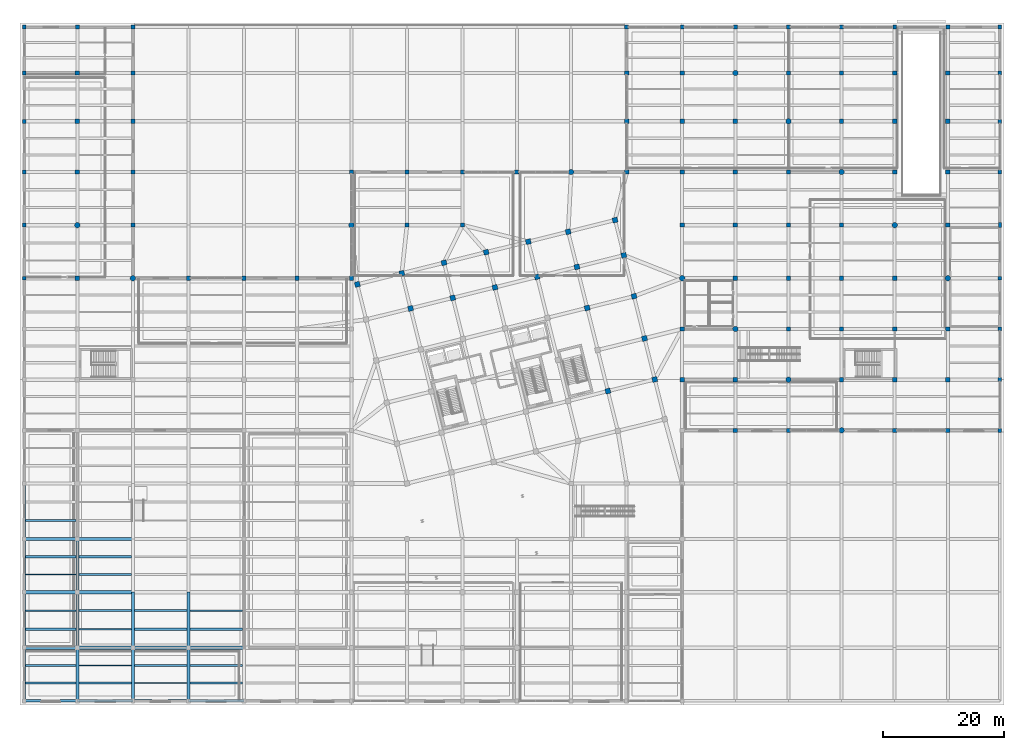
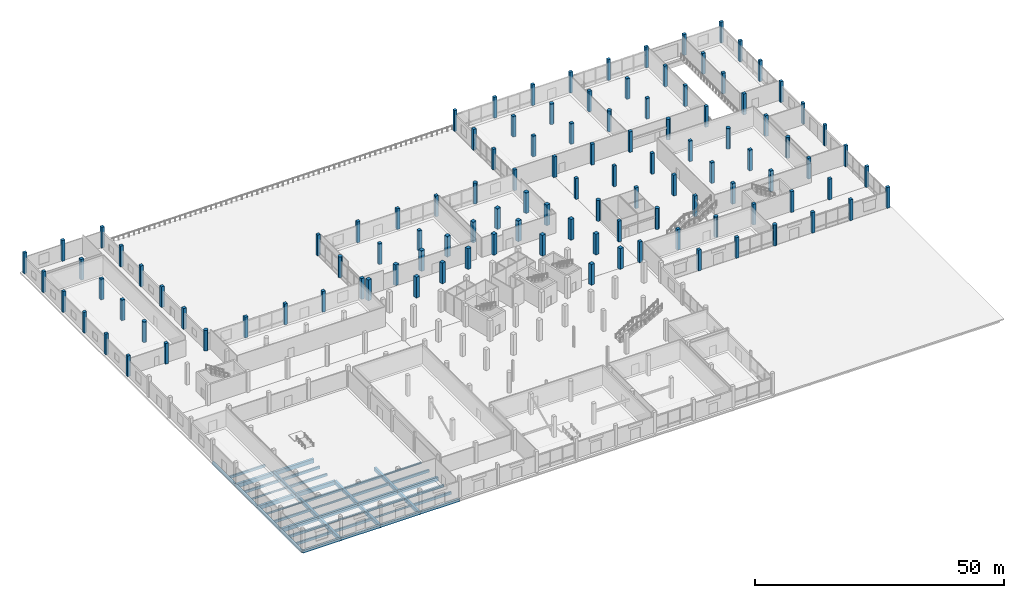
# One storey, part 6 of 73: 114 columns, 44 beams.
"""IFC4 building model written with IfcOpenShell, lengths in metres."""

import ifcopenshell
import ifcopenshell.guid

model = None  # the IFC model being written
_history = None  # IfcOwnerHistory: only IFC2X3 demands one
_inside = {}  # id of a spatial element -> (the spatial element, [elements in it])
_under = {}  # id of a project, library or spatial element -> (it, [spatial elements below it])
_declared = {}  # id of a project -> (the project, [libraries it declares])
_typed = {}  # id of a type object -> (the type object, [elements of that type])
_made_of = {}  # id of a material, layer set ... -> (it, [elements and type objects made of it])


def new_model(schema):
    """Start an empty IFC model of exactly this schema.

    Asked for "IFC4X3", IfcOpenShell would pick the latest addendum, in which some entities
    have other attributes; the version numbers below select the first issue.
    IFC2X3 requires an IfcOwnerHistory on every rooted entity: one is made here for all.
    """
    global model, _history
    if schema == "IFC4X3":
        model = ifcopenshell.file(schema_version=(4, 3, 0, 0))
    else:
        model = ifcopenshell.file(schema=schema)
    _inside.clear()
    _under.clear()
    _declared.clear()
    _typed.clear()
    _made_of.clear()
    _history = None
    if model.schema == "IFC2X3":
        org = make("IfcOrganization", Name="unknown")
        user = make(
            "IfcPersonAndOrganization",
            ThePerson=make("IfcPerson", FamilyName="unknown"),
            TheOrganization=org,
        )
        app = make(
            "IfcApplication",
            ApplicationDeveloper=org,
            Version="unknown",
            ApplicationFullName="unknown",
            ApplicationIdentifier="unknown",
        )
        _history = make(
            "IfcOwnerHistory",
            OwningUser=user,
            OwningApplication=app,
            ChangeAction="ADDED",
            CreationDate=0,
        )
    return model


def make(cls, **values):
    """One entity of the class cls with the attributes given. An attribute that is None is left unset."""
    return model.create_entity(
        cls, **{name: value for name, value in values.items() if value is not None}
    )


def rooted(cls, **values):
    """An entity with a GlobalId (a new one), such as an element, a storey or a relation."""
    return make(cls, GlobalId=ifcopenshell.guid.new(), OwnerHistory=_history, **values)


def si_unit(unit_type, name, prefix=None):
    """IfcSIUnit, for example si_unit("LENGTHUNIT", "METRE", prefix="MILLI")."""
    return make("IfcSIUnit", UnitType=unit_type, Prefix=prefix, Name=name)


def assignment(units):
    """IfcUnitAssignment: the units of a project."""
    return None if units is None else make("IfcUnitAssignment", Units=units)


def point(xyz):
    """IfcCartesianPoint."""
    return None if xyz is None else make("IfcCartesianPoint", Coordinates=xyz)


def direction(xyz):
    """IfcDirection."""
    return None if xyz is None else make("IfcDirection", DirectionRatios=xyz)


def frame(location, z_axis=None, x_axis=None):
    """IfcAxis2Placement3D, a coordinate frame: its origin and axes. An axis left out is left unset."""
    return make(
        "IfcAxis2Placement3D",
        Location=point(location),
        Axis=direction(z_axis),
        RefDirection=direction(x_axis),
    )


def frame_2d(location, x_axis=None):
    """IfcAxis2Placement2D, a coordinate frame in the plane: its origin and x axis."""
    return make(
        "IfcAxis2Placement2D", Location=point(location), RefDirection=direction(x_axis)
    )


def origin():
    """The frame at (0, 0, 0) with its axes left unset."""
    return frame((0.0, 0.0, 0.0))


def origin_2d():
    """The frame at (0, 0) in the plane with its x axis left unset."""
    return frame_2d((0.0, 0.0))


def place(relative_to, where):
    """IfcLocalPlacement: puts the frame where relative to a parent placement (None: the world)."""
    return make(
        "IfcLocalPlacement", PlacementRelTo=relative_to, RelativePlacement=where
    )


def context(
    kind, dimensions, precision=None, world=None, true_north=None, identifier=None
):
    """IfcGeometricRepresentationContext, for example the 3D "Model" context."""
    return make(
        "IfcGeometricRepresentationContext",
        ContextIdentifier=identifier,
        ContextType=kind,
        CoordinateSpaceDimension=dimensions,
        Precision=precision,
        WorldCoordinateSystem=world,
        TrueNorth=true_north,
    )


def subcontext(parent, identifier, kind, view, scale=None):
    """IfcGeometricRepresentationSubContext, for example "Body" below "Model"."""
    return make(
        "IfcGeometricRepresentationSubContext",
        ContextIdentifier=identifier,
        ContextType=kind,
        ParentContext=parent,
        TargetScale=scale,
        TargetView=view,
    )


def project(units=None, contexts=None):
    """IfcProject with its units and contexts."""
    return rooted(
        "IfcProject",
        Name="project",
        RepresentationContexts=contexts,
        UnitsInContext=assignment(units),
    )


def spatial(cls, under=None, at=None, **own):
    """A site, building, storey or space (cls), placed at a placement, below another one or the project."""
    s = rooted(cls, ObjectPlacement=at, **own)
    if under is not None:
        _under.setdefault(under.id(), (under, []))[1].append(s)
    return s


def profile(cls, at=None, kind="AREA", **sizes):
    """A parametric profile (cls). Its sizes go by their IFC names, for example OverallWidth=200.0."""
    return make(cls, ProfileType=kind, Position=at, **sizes)


def rectangle(**sizes):
    """IfcRectangleProfileDef."""
    return profile("IfcRectangleProfileDef", **sizes)


def circle(**sizes):
    """IfcCircleProfileDef."""
    return profile("IfcCircleProfileDef", **sizes)


def i_section(**sizes):
    """IfcIShapeProfileDef."""
    return profile("IfcIShapeProfileDef", **sizes)


def extrude(swept, where, along, depth):
    """IfcExtrudedAreaSolid: the profile swept, set in the frame where, extruded along a direction by depth."""
    return make(
        "IfcExtrudedAreaSolid",
        SweptArea=swept,
        Position=where,
        ExtrudedDirection=direction(along),
        Depth=depth,
    )


def shape(context_of_items, identifier, shape_type, items):
    """IfcShapeRepresentation: the items that make up one representation, for example the "Body"."""
    return make(
        "IfcShapeRepresentation",
        ContextOfItems=context_of_items,
        RepresentationIdentifier=identifier,
        RepresentationType=shape_type,
        Items=items,
    )


def material(Name=None, Category=None):
    """IfcMaterial."""
    return make("IfcMaterial", Name=Name, Category=Category)


def material_profile(
    of_material, cross_section, Name=None, Category=None, Priority=None
):
    """IfcMaterialProfile: a cross section and its material."""
    return make(
        "IfcMaterialProfile",
        Name=Name,
        Material=of_material,
        Profile=cross_section,
        Priority=Priority,
        Category=Category,
    )


def profile_set(profiles, Name=None, composite=None):
    """IfcMaterialProfileSet."""
    return make(
        "IfcMaterialProfileSet",
        Name=Name,
        MaterialProfiles=profiles,
        CompositeProfile=composite,
    )


def made_of(thing, what):
    """Note that an element or type object is made of a material, layer set ...; save() writes the relation."""
    if what is not None:
        _made_of.setdefault(what.id(), (what, []))[1].append(thing)
    return thing


def type_object(cls, material=None, **own):
    """A type object (cls), such as IfcWallType, which elements share."""
    return made_of(rooted(cls, **own), material)


def element(
    cls,
    number,
    at=None,
    inside=None,
    cuts=None,
    type_object=None,
    material=None,
    context=None,
    identifier="Body",
    shape_type=None,
    held_by="IfcProductDefinitionShape",
    body=None,
    shapes=None,
    **own,
):
    """One element of the class cls, such as IfcWall. Its Tag is "e" and its number.

    at: its placement. inside: the storey or other place that contains it. cuts: it is an
    opening in that element (IfcRelVoidsElement). A single representation is given by context,
    identifier, shape_type and body (its items); several are given by shapes. held_by: the class
    of the entity that holds the representations. save() writes the other relations.
    """
    e = rooted(cls, Tag="e%d" % number, ObjectPlacement=at, **own)
    if body is not None:
        shapes = [shape(context, identifier, shape_type, body)]
    if shapes is not None:
        e.Representation = make(held_by, Representations=shapes)
    if inside is not None:
        _inside.setdefault(inside.id(), (inside, []))[1].append(e)
    if cuts is not None:
        rooted(
            "IfcRelVoidsElement", RelatingBuildingElement=cuts, RelatedOpeningElement=e
        )
    if type_object is not None:
        _typed.setdefault(type_object.id(), (type_object, []))[1].append(e)
    return made_of(e, material)


def aggregate(whole, parts):
    """IfcRelAggregates: a whole, such as a stair, and the parts it consists of."""
    return rooted("IfcRelAggregates", RelatingObject=whole, RelatedObjects=parts)


def save(model, path):
    """Write the relations noted so far, then the file.

    IfcRelAggregates (storeys below a building ...), IfcRelContainedInSpatialStructure (elements
    in a storey), IfcRelDefinesByType, IfcRelAssociatesMaterial and IfcRelDeclares: one each for
    every whole, place, type object, material and project.
    """
    for whole, parts in _under.values():
        aggregate(whole, parts)
    for where, things in _inside.values():
        rooted(
            "IfcRelContainedInSpatialStructure",
            RelatedElements=things,
            RelatingStructure=where,
        )
    for kind, things in _typed.values():
        rooted("IfcRelDefinesByType", RelatedObjects=things, RelatingType=kind)
    for what, things in _made_of.values():
        rooted("IfcRelAssociatesMaterial", RelatedObjects=things, RelatingMaterial=what)
    for by, libraries in _declared.values():
        rooted("IfcRelDeclares", RelatingContext=by, RelatedDefinitions=libraries)
    model.write(path)


model = new_model("IFC4")

# Units and contexts
model_context = context("Model", 3, precision=1e-05, world=origin(), true_north=direction((0.0, 1.0)))
body_context = subcontext(model_context, "Body", "Model", "MODEL_VIEW")
ifc_project = project(units=[si_unit("LENGTHUNIT", "METRE"), si_unit("AREAUNIT", "SQUARE_METRE"), si_unit("VOLUMEUNIT", "CUBIC_METRE"), si_unit("PLANEANGLEUNIT", "RADIAN"), si_unit("MASSUNIT", "GRAM", prefix="KILO")], contexts=[model_context])

# Site, building, storey
site_placement = place(None, origin())
site = spatial("IfcSite", under=ifc_project, at=site_placement, CompositionType="ELEMENT")
building_placement = place(site_placement, origin())
building = spatial("IfcBuilding", under=site, at=building_placement, Name="Meriwether Solvik Hall", CompositionType="ELEMENT")
storey_placement = place(building_placement, origin())
storey = spatial("IfcBuildingStorey", under=building, at=storey_placement, Name="L00", CompositionType="ELEMENT", Elevation=0.0)

# Columns
ifc_material_1 = material(Name="Concrete C40/50", Category="concrete")
ifc_material_profile_1 = material_profile(ifc_material_1, rectangle(XDim=0.64990234375, YDim=0.64990234375, at=origin_2d()), Name="RCC-650X650")
ifc_profile_set_1 = profile_set([ifc_material_profile_1], Name="Concrete C40/50")
column_type_1 = type_object("IfcColumnType", Name="COL-RC-650", PredefinedType="COLUMN", material=ifc_profile_set_1)
for number, where, z_axis, x_axis, name in (
    (1, (5.199951171875, 75.199951171875, 0.0), (0.0, 0.0, 1.0), (1.0, 0.0, 0.0), "Podium Column 1/I (L00)"),
    (2, (5.199951171875, 84.0, 0.0), (0.0, 0.0, 1.0), (1.0, 0.0, 0.0), "Podium Column 1/J (L00)"),
    (3, (5.199951171875, 92.800048828125, 0.0), (0.0, 0.0, 1.0), (1.0, 0.0, 0.0), "Podium Column 1/K (L00)"),
    (4, (5.199951171875, 101.199951171875, 0.0), (0.0, 0.0, 1.0), (1.0, 0.0, 0.0), "Podium Column 1/L (L00)"),
    (5, (5.199951171875, 109.199951171875, 0.0), (0.0, 0.0, 1.0), (1.0, 0.0, 0.0), "Podium Column 1/M (L00)"),
    (6, (5.199951171875, 116.800048828125, 0.0), (0.0, 0.0, 1.0), (1.0, 0.0, 0.0), "Podium Column 1/N (L00)"),
    (7, (14.0, 116.800048828125, 0.0), (0.0, 0.0, 1.0), (1.0, 0.0, 0.0), "Podium Column 2/N (L00)"),
    (8, (23.199951171875, 116.800048828125, 0.0), (0.0, 0.0, 1.0), (1.0, 0.0, 0.0), "Podium Column 3/N (L00)"),
    (9, (105.0, 116.800048828125, 0.0), (0.0, 0.0, 1.0), (1.0, 0.0, 0.0), "Podium Column 12/N (L00)"),
    (10, (114.199951171875, 116.800048828125, 0.0), (0.0, 0.0, 1.0), (1.0, 0.0, 0.0), "Podium Column 13/N (L00)"),
    (11, (123.0, 116.800048828125, 0.0), (0.0, 0.0, 1.0), (1.0, 0.0, 0.0), "Podium Column 14/N (L00)"),
    (12, (131.800048828125, 116.800048828125, 0.0), (0.0, 0.0, 1.0), (1.0, 0.0, 0.0), "Podium Column 15/N (L00)"),
    (13, (140.60009765625, 116.800048828125, 0.0), (0.0, 0.0, 1.0), (1.0, 0.0, 0.0), "Podium Column 16/N (L00)"),
    (14, (149.39990234375, 116.800048828125, 0.0), (0.0, 0.0, 1.0), (1.0, 0.0, 0.0), "Podium Column 17/N (L00)"),
    (15, (158.199951171875, 116.800048828125, 0.0), (0.0, 0.0, 1.0), (1.0, 0.0, 0.0), "Podium Column 18/N (L00)"),
    (16, (166.800048828125, 50.0, 0.0), (0.0, 0.0, 1.0), (1.0, 0.0, 0.0), "Podium Column 19/F (L00)"),
    (17, (166.800048828125, 58.39990234375, 0.0), (0.0, 0.0, 1.0), (1.0, 0.0, 0.0), "Podium Column 19/G (L00)"),
    (18, (166.800048828125, 66.800048828125, 0.0), (0.0, 0.0, 1.0), (1.0, 0.0, 0.0), "Podium Column 19/H (L00)"),
    (19, (166.800048828125, 75.199951171875, 0.0), (0.0, 0.0, 1.0), (1.0, 0.0, 0.0), "Podium Column 19/I (L00)"),
    (20, (166.800048828125, 92.800048828125, 0.0), (0.0, 0.0, 1.0), (1.0, 0.0, 0.0), "Podium Column 19/K (L00)"),
    (21, (166.800048828125, 101.199951171875, 0.0), (0.0, 0.0, 1.0), (1.0, 0.0, 0.0), "Podium Column 19/L (L00)"),
    (22, (166.800048828125, 109.199951171875, 0.0), (0.0, 0.0, 1.0), (1.0, 0.0, 0.0), "Podium Column 19/M (L00)"),
    (23, (166.800048828125, 116.800048828125, 0.0), (0.0, 0.0, 1.0), (1.0, 0.0, 0.0), "Podium Column 19/N (L00)"),
):
    element("IfcColumn", number, at=place(storey_placement, frame(where, z_axis=z_axis, x_axis=x_axis)), inside=storey, type_object=column_type_1, Name=name, PredefinedType="COLUMN", context=body_context, shape_type="SweptSolid", body=[
        extrude(rectangle(XDim=0.64990234375, YDim=0.64990234375, at=origin_2d()), origin(), (0.0, 0.0, 1.0), 5.10009765625),
    ])
ifc_material_2 = material(Name="Concrete C40/50", Category="concrete")
ifc_material_profile_2 = material_profile(ifc_material_2, rectangle(XDim=0.699951171875, YDim=0.699951171875, at=origin_2d()), Name="RCC-700X700")
ifc_profile_set_2 = profile_set([ifc_material_profile_2], Name="Concrete C40/50")
column_type_2 = type_object("IfcColumnType", Name="COL-RC-700", PredefinedType="COLUMN", material=ifc_profile_set_2)
for number, where, z_axis, x_axis, name in (
    (24, (14.0, 75.199951171875, 0.0), (0.0, 0.0, 1.0), (1.0, 0.0, 0.0), "Podium Column 2/I (L00)"),
    (25, (14.0, 92.800048828125, 0.0), (0.0, 0.0, 1.0), (1.0, 0.0, 0.0), "Podium Column 2/K (L00)"),
    (26, (14.0, 101.199951171875, 0.0), (0.0, 0.0, 1.0), (1.0, 0.0, 0.0), "Podium Column 2/L (L00)"),
    (27, (14.0, 109.199951171875, 0.0), (0.0, 0.0, 1.0), (1.0, 0.0, 0.0), "Podium Column 2/M (L00)"),
    (28, (23.199951171875, 84.0, 0.0), (0.0, 0.0, 1.0), (1.0, 0.0, 0.0), "Podium Column 3/J (L00)"),
    (29, (23.199951171875, 92.800048828125, 0.0), (0.0, 0.0, 1.0), (1.0, 0.0, 0.0), "Podium Column 3/K (L00)"),
    (30, (23.199951171875, 101.199951171875, 0.0), (0.0, 0.0, 1.0), (1.0, 0.0, 0.0), "Podium Column 3/L (L00)"),
    (31, (23.199951171875, 109.199951171875, 0.0), (0.0, 0.0, 1.0), (1.0, 0.0, 0.0), "Podium Column 3/M (L00)"),
    (32, (32.39990234375, 75.199951171875, 0.0), (0.0, 0.0, 1.0), (1.0, 0.0, 0.0), "Podium Column 4/I (L00)"),
    (33, (41.60009765625, 75.199951171875, 0.0), (0.0, 0.0, 1.0), (1.0, 0.0, 0.0), "Podium Column 5/I (L00)"),
    (34, (50.39990234375, 75.199951171875, 0.0), (0.0, 0.0, 1.0), (1.0, 0.0, 0.0), "Podium Column 6/I (L00)"),
    (35, (59.39990234375, 75.199951171875, 0.0), (0.0, 0.0, 1.0), (1.0, 0.0, 0.0), "Podium Column 7/I (L00)"),
    (36, (59.39990234375, 92.800048828125, 0.0), (0.0, 0.0, 1.0), (1.0, 0.0, 0.0), "Podium Column 7/K (L00)"),
    (37, (68.60009765625, 84.0, 0.0), (0.0, 0.0, 1.0), (1.0, 0.0, 0.0), "Podium Column 8/J (L00)"),
    (38, (68.60009765625, 92.800048828125, 0.0), (0.0, 0.0, 1.0), (1.0, 0.0, 0.0), "Podium Column 8/K (L00)"),
    (39, (77.800048828125, 84.0, 0.0), (0.0, 0.0, 1.0), (1.0, 0.0, 0.0), "Podium Column 9/J (L00)"),
    (40, (77.800048828125, 92.800048828125, 0.0), (0.0, 0.0, 1.0), (1.0, 0.0, 0.0), "Podium Column 9/K (L00)"),
    (41, (86.800048828125, 92.800048828125, 0.0), (0.0, 0.0, 1.0), (1.0, 0.0, 0.0), "Podium Column 10/K (L00)"),
    (42, (105.0, 92.800048828125, 0.0), (0.0, 0.0, 1.0), (1.0, 0.0, 0.0), "Podium Column 12/K (L00)"),
    (43, (105.0, 101.199951171875, 0.0), (0.0, 0.0, 1.0), (1.0, 0.0, 0.0), "Podium Column 12/L (L00)"),
    (44, (105.0, 109.199951171875, 0.0), (0.0, 0.0, 1.0), (1.0, 0.0, 0.0), "Podium Column 12/M (L00)"),
    (45, (114.199951171875, 58.39990234375, 0.0), (0.0, 0.0, 1.0), (1.0, 0.0, 0.0), "Podium Column 13/G (L00)"),
    (46, (114.199951171875, 66.800048828125, 0.0), (0.0, 0.0, 1.0), (1.0, 0.0, 0.0), "Podium Column 13/H (L00)"),
    (47, (114.199951171875, 84.0, 0.0), (0.0, 0.0, 1.0), (1.0, 0.0, 0.0), "Podium Column 13/J (L00)"),
    (48, (114.199951171875, 92.800048828125, 0.0), (0.0, 0.0, 1.0), (1.0, 0.0, 0.0), "Podium Column 13/K (L00)"),
    (49, (114.199951171875, 101.199951171875, 0.0), (0.0, 0.0, 1.0), (1.0, 0.0, 0.0), "Podium Column 13/L (L00)"),
    (50, (114.199951171875, 109.199951171875, 0.0), (0.0, 0.0, 1.0), (1.0, 0.0, 0.0), "Podium Column 13/M (L00)"),
    (51, (123.0, 50.0, 0.0), (0.0, 0.0, 1.0), (1.0, 0.0, 0.0), "Podium Column 14/F (L00)"),
    (52, (123.0, 58.39990234375, 0.0), (0.0, 0.0, 1.0), (1.0, 0.0, 0.0), "Podium Column 14/G (L00)"),
    (53, (123.0, 75.199951171875, 0.0), (0.0, 0.0, 1.0), (1.0, 0.0, 0.0), "Podium Column 14/I (L00)"),
    (54, (123.0, 84.0, 0.0), (0.0, 0.0, 1.0), (1.0, 0.0, 0.0), "Podium Column 14/J (L00)"),
    (55, (123.0, 92.800048828125, 0.0), (0.0, 0.0, 1.0), (1.0, 0.0, 0.0), "Podium Column 14/K (L00)"),
    (56, (123.0, 101.199951171875, 0.0), (0.0, 0.0, 1.0), (1.0, 0.0, 0.0), "Podium Column 14/L (L00)"),
    (57, (131.800048828125, 50.0, 0.0), (0.0, 0.0, 1.0), (1.0, 0.0, 0.0), "Podium Column 15/F (L00)"),
    (58, (131.800048828125, 66.800048828125, 0.0), (0.0, 0.0, 1.0), (1.0, 0.0, 0.0), "Podium Column 15/H (L00)"),
    (59, (131.800048828125, 75.199951171875, 0.0), (0.0, 0.0, 1.0), (1.0, 0.0, 0.0), "Podium Column 15/I (L00)"),
    (60, (131.800048828125, 84.0, 0.0), (0.0, 0.0, 1.0), (1.0, 0.0, 0.0), "Podium Column 15/J (L00)"),
    (61, (131.800048828125, 92.800048828125, 0.0), (0.0, 0.0, 1.0), (1.0, 0.0, 0.0), "Podium Column 15/K (L00)"),
    (62, (131.800048828125, 109.199951171875, 0.0), (0.0, 0.0, 1.0), (1.0, 0.0, 0.0), "Podium Column 15/M (L00)"),
    (63, (140.60009765625, 58.39990234375, 0.0), (0.0, 0.0, 1.0), (1.0, 0.0, 0.0), "Podium Column 16/G (L00)"),
    (64, (140.60009765625, 66.800048828125, 0.0), (0.0, 0.0, 1.0), (1.0, 0.0, 0.0), "Podium Column 16/H (L00)"),
    (65, (140.60009765625, 75.199951171875, 0.0), (0.0, 0.0, 1.0), (1.0, 0.0, 0.0), "Podium Column 16/I (L00)"),
    (66, (140.60009765625, 84.0, 0.0), (0.0, 0.0, 1.0), (1.0, 0.0, 0.0), "Podium Column 16/J (L00)"),
    (67, (140.60009765625, 101.199951171875, 0.0), (0.0, 0.0, 1.0), (1.0, 0.0, 0.0), "Podium Column 16/L (L00)"),
    (68, (140.60009765625, 109.199951171875, 0.0), (0.0, 0.0, 1.0), (1.0, 0.0, 0.0), "Podium Column 16/M (L00)"),
    (69, (149.39990234375, 50.0, 0.0), (0.0, 0.0, 1.0), (1.0, 0.0, 0.0), "Podium Column 17/F (L00)"),
    (70, (149.39990234375, 58.39990234375, 0.0), (0.0, 0.0, 1.0), (1.0, 0.0, 0.0), "Podium Column 17/G (L00)"),
    (71, (149.39990234375, 66.800048828125, 0.0), (0.0, 0.0, 1.0), (1.0, 0.0, 0.0), "Podium Column 17/H (L00)"),
    (72, (149.39990234375, 75.199951171875, 0.0), (0.0, 0.0, 1.0), (1.0, 0.0, 0.0), "Podium Column 17/I (L00)"),
    (73, (149.39990234375, 92.800048828125, 0.0), (0.0, 0.0, 1.0), (1.0, 0.0, 0.0), "Podium Column 17/K (L00)"),
    (74, (149.39990234375, 101.199951171875, 0.0), (0.0, 0.0, 1.0), (1.0, 0.0, 0.0), "Podium Column 17/L (L00)"),
    (75, (149.39990234375, 109.199951171875, 0.0), (0.0, 0.0, 1.0), (1.0, 0.0, 0.0), "Podium Column 17/M (L00)"),
    (76, (158.199951171875, 50.0, 0.0), (0.0, 0.0, 1.0), (1.0, 0.0, 0.0), "Podium Column 18/F (L00)"),
    (77, (158.199951171875, 58.39990234375, 0.0), (0.0, 0.0, 1.0), (1.0, 0.0, 0.0), "Podium Column 18/G (L00)"),
    (78, (158.199951171875, 66.800048828125, 0.0), (0.0, 0.0, 1.0), (1.0, 0.0, 0.0), "Podium Column 18/H (L00)"),
    (79, (158.199951171875, 84.0, 0.0), (0.0, 0.0, 1.0), (1.0, 0.0, 0.0), "Podium Column 18/J (L00)"),
    (80, (158.199951171875, 92.800048828125, 0.0), (0.0, 0.0, 1.0), (1.0, 0.0, 0.0), "Podium Column 18/K (L00)"),
    (81, (158.199951171875, 101.199951171875, 0.0), (0.0, 0.0, 1.0), (1.0, 0.0, 0.0), "Podium Column 18/L (L00)"),
    (82, (158.199951171875, 109.199951171875, 0.0), (0.0, 0.0, 1.0), (1.0, 0.0, 0.0), "Podium Column 18/M (L00)"),
):
    element("IfcColumn", number, at=place(storey_placement, frame(where, z_axis=z_axis, x_axis=x_axis)), inside=storey, type_object=column_type_2, Name=name, PredefinedType="COLUMN", context=body_context, shape_type="SweptSolid", body=[
        extrude(rectangle(XDim=0.699951171875, YDim=0.699951171875, at=origin_2d()), origin(), (0.0, 0.0, 1.0), 5.10009765625),
    ])
ifc_material_3 = material(Name="Concrete C40/50", Category="concrete")
ifc_material_profile_3 = material_profile(ifc_material_3, rectangle(XDim=0.85009765625, YDim=0.85009765625, at=origin_2d()), Name="RCC-850X850")
ifc_profile_set_3 = profile_set([ifc_material_profile_3], Name="Concrete C40/50")
column_type_3 = type_object("IfcColumnType", Name="COL-RC-850", PredefinedType="COLUMN", material=ifc_profile_set_3)
for number, where, z_axis, x_axis, name in (
    (83, (60.374755859375, 74.18994140625, 0.0), (0.0, 0.0, 1.0), (0.970295726276, 0.2419218956, 0.0), "Tower Column T1/TF (L00)"),
    (84, (69.200439453125, 70.206787109375, 0.0), (0.0, 0.0, 1.0), (0.970295726276, 0.2419218956, 0.0), "Tower Column T2/TE (L00)"),
    (85, (67.7490234375, 76.028564453125, 0.0), (0.0, 0.0, 1.0), (0.970295726276, 0.2419218956, 0.0), "Tower Column T2/TF (L00)"),
    (86, (76.1865234375, 71.94873046875, 0.0), (0.0, 0.0, 1.0), (0.970295726276, 0.2419218956, 0.0), "Tower Column T3/TE (L00)"),
    (87, (74.735107421875, 77.7705078125, 0.0), (0.0, 0.0, 1.0), (0.970295726276, 0.2419218956, 0.0), "Tower Column T3/TF (L00)"),
    (88, (83.172607421875, 73.690673828125, 0.0), (0.0, 0.0, 1.0), (0.970295726276, 0.2419218956, 0.0), "Tower Column T4/TE (L00)"),
    (89, (81.72119140625, 79.512451171875, 0.0), (0.0, 0.0, 1.0), (0.970295726276, 0.2419218956, 0.0), "Tower Column T4/TF (L00)"),
    (90, (90.158935546875, 75.432373046875, 0.0), (0.0, 0.0, 1.0), (0.970295726276, 0.2419218956, 0.0), "Tower Column T5/TE (L00)"),
    (91, (88.707275390625, 81.254150390625, 0.0), (0.0, 0.0, 1.0), (0.970295726276, 0.2419218956, 0.0), "Tower Column T5/TF (L00)"),
    (92, (101.885498046875, 56.507080078125, 0.0), (0.0, 0.0, 1.0), (0.970295726276, 0.2419218956, 0.0), "Tower Column T6/TB (L00)"),
    (93, (98.4501953125, 70.285400390625, 0.0), (0.0, 0.0, 1.0), (0.970295726276, 0.2419218956, 0.0), "Tower Column T6/TD (L00)"),
    (94, (96.7568359375, 77.077392578125, 0.0), (0.0, 0.0, 1.0), (0.970295726276, 0.2419218956, 0.0), "Tower Column T6/TE (L00)"),
    (95, (95.305419921875, 82.899169921875, 0.0), (0.0, 0.0, 1.0), (0.970295726276, 0.2419218956, 0.0), "Tower Column T6/TF (L00)"),
    (96, (109.64794921875, 58.442626953125, 0.0), (0.0, 0.0, 1.0), (0.970295726276, 0.2419218956, 0.0), "Tower Column T7/TB (L00)"),
    (97, (107.95458984375, 65.234619140625, 0.0), (0.0, 0.0, 1.0), (0.970295726276, 0.2419218956, 0.0), "Tower Column T7/TC (L00)"),
    (98, (106.212646484375, 72.220703125, 0.0), (0.0, 0.0, 1.0), (0.970295726276, 0.2419218956, 0.0), "Tower Column T7/TD (L00)"),
    (99, (104.519287109375, 79.012939453125, 0.0), (0.0, 0.0, 1.0), (0.970295726276, 0.2419218956, 0.0), "Tower Column T7/TE (L00)"),
    (100, (103.067626953125, 84.834716796875, 0.0), (0.0, 0.0, 1.0), (0.970295726276, 0.2419218956, 0.0), "Tower Column T7/TF (L00)"),
):
    element("IfcColumn", number, at=place(storey_placement, frame(where, z_axis=z_axis, x_axis=x_axis)), inside=storey, type_object=column_type_3, Name=name, PredefinedType="COLUMN", context=body_context, shape_type="SweptSolid", body=[
        extrude(rectangle(XDim=0.85009765625, YDim=0.85009765625, at=origin_2d()), origin(), (0.0, 0.0, 1.0), 5.10009765625),
    ])
ifc_material_4 = material(Name="Concrete C40/50", Category="concrete")
ifc_material_profile_4 = material_profile(ifc_material_4, circle(Radius=0.449951171875, at=origin_2d()), Name="RCC-D900")
ifc_profile_set_4 = profile_set([ifc_material_profile_4], Name="Concrete C40/50")
column_type_4 = type_object("IfcColumnType", Name="COL-RC-D900", PredefinedType="COLUMN", material=ifc_profile_set_4)
for number, where, z_axis, x_axis, name in (
    (101, (14.0, 84.0, 0.0), (0.0, 0.0, 1.0), (1.0, 0.0, 0.0), "Podium Column 2/J (L00)"),
    (102, (23.199951171875, 75.199951171875, 0.0), (0.0, 0.0, 1.0), (1.0, 0.0, 0.0), "Podium Column 3/I (L00)"),
    (103, (59.39990234375, 84.0, 0.0), (0.0, 0.0, 1.0), (1.0, 0.0, 0.0), "Podium Column 7/J (L00)"),
    (104, (95.800048828125, 92.800048828125, 0.0), (0.0, 0.0, 1.0), (1.0, 0.0, 0.0), "Podium Column 11/K (L00)"),
    (105, (114.199951171875, 75.199951171875, 0.0), (0.0, 0.0, 1.0), (1.0, 0.0, 0.0), "Podium Column 13/I (L00)"),
    (106, (123.0, 66.800048828125, 0.0), (0.0, 0.0, 1.0), (1.0, 0.0, 0.0), "Podium Column 14/H (L00)"),
    (107, (123.0, 109.199951171875, 0.0), (0.0, 0.0, 1.0), (1.0, 0.0, 0.0), "Podium Column 14/M (L00)"),
    (108, (131.800048828125, 58.39990234375, 0.0), (0.0, 0.0, 1.0), (1.0, 0.0, 0.0), "Podium Column 15/G (L00)"),
    (109, (131.800048828125, 101.199951171875, 0.0), (0.0, 0.0, 1.0), (1.0, 0.0, 0.0), "Podium Column 15/L (L00)"),
    (110, (140.60009765625, 50.0, 0.0), (0.0, 0.0, 1.0), (1.0, 0.0, 0.0), "Podium Column 16/F (L00)"),
    (111, (140.60009765625, 92.800048828125, 0.0), (0.0, 0.0, 1.0), (1.0, 0.0, 0.0), "Podium Column 16/K (L00)"),
    (112, (149.39990234375, 84.0, 0.0), (0.0, 0.0, 1.0), (1.0, 0.0, 0.0), "Podium Column 17/J (L00)"),
    (113, (158.199951171875, 75.199951171875, 0.0), (0.0, 0.0, 1.0), (1.0, 0.0, 0.0), "Podium Column 18/I (L00)"),
):
    element("IfcColumn", number, at=place(storey_placement, frame(where, z_axis=z_axis, x_axis=x_axis)), inside=storey, type_object=column_type_4, Name=name, PredefinedType="COLUMN", context=body_context, shape_type="SweptSolid", body=[
        extrude(circle(Radius=0.449951171875, at=origin_2d()), origin(), (0.0, 0.0, 1.0), 5.10009765625),
    ])
ifc_material_5 = material(Name="Concrete C40/50", Category="concrete")
ifc_material_profile_5 = material_profile(ifc_material_5, rectangle(XDim=0.5, YDim=0.800048828125, at=origin_2d()), Name="RCP-500X800")
ifc_profile_set_5 = profile_set([ifc_material_profile_5], Name="Concrete C40/50")
column_type_5 = type_object("IfcColumnType", Name="PIL-RC-500X800", PredefinedType="PILASTER", material=ifc_profile_set_5)
column_placement = place(storey_placement, frame((166.800048828125, 84.0, 0.0), z_axis=(0.0, 0.0, 1.0), x_axis=(1.0, 0.0, 0.0)))
element("IfcColumn", 114, at=column_placement, inside=storey, type_object=column_type_5, Name="Podium Column 19/J (L00)", PredefinedType="PILASTER", context=body_context, shape_type="SweptSolid", body=[
    extrude(rectangle(XDim=0.5, YDim=0.800048828125, at=origin_2d()), origin(), (0.0, 0.0, 1.0), 5.10009765625),
])

# Beams
ifc_material_6 = material(Name="Concrete C40/50", Category="concrete")
ifc_material_profile_6 = material_profile(ifc_material_6, rectangle(XDim=0.35009765625, YDim=0.60009765625, at=origin_2d()), Name="RCB-350X600")
ifc_profile_set_6 = profile_set([ifc_material_profile_6], Name="Concrete C40/50")
beam_type_1 = type_object("IfcBeamType", Name="BM-RC-350X600", PredefinedType="JOIST", material=ifc_profile_set_6)
for number, where, z_axis, x_axis, name in (
    (115, (5.39501953125, 8.13330078125, -0.659912109375), (1.0, 0.0, 0.0), (0.0, 1.0, 0.0), "Secondary Floor Joist 1/A_J1 (L00)"),
    (116, (5.39501953125, 11.066650390625, -0.659912109375), (1.0, 0.0, 0.0), (0.0, 1.0, 0.0), "Secondary Floor Joist 1/A_J2 (L00)"),
    (117, (5.39501953125, 17.066650390625, -0.659912109375), (1.0, 0.0, 0.0), (0.0, 1.0, 0.0), "Secondary Floor Joist 1/B_J1 (L00)"),
    (118, (5.39501953125, 29.066650390625, -0.659912109375), (1.0, 0.0, 0.0), (0.0, 1.0, 0.0), "Secondary Floor Joist 1/C_J2 (L00)"),
    (119, (5.39501953125, 35.066650390625, -0.659912109375), (1.0, 0.0, 0.0), (0.0, 1.0, 0.0), "Secondary Floor Joist 1/D_J1 (L00)"),
):
    element("IfcBeam", number, at=place(storey_placement, frame(where, z_axis=z_axis, x_axis=x_axis)), inside=storey, type_object=beam_type_1, Name=name, PredefinedType="JOIST", context=body_context, shape_type="SweptSolid", body=[
        extrude(rectangle(XDim=0.35009765625, YDim=0.60009765625, at=origin_2d()), origin(), (0.0, 0.0, 1.0), 8.35986328125),
    ])
for number, where, z_axis, x_axis, name in (
    (120, (14.2451171875, 8.13330078125, -0.659912109375), (1.0, 0.0, 0.0), (0.0, 1.0, 0.0), "Secondary Floor Joist 2/A_J1 (L00)"),
    (121, (14.2451171875, 20.13330078125, -0.659912109375), (1.0, 0.0, 0.0), (0.0, 1.0, 0.0), "Secondary Floor Joist 2/B_J2 (L00)"),
    (122, (14.2451171875, 26.13330078125, -0.659912109375), (1.0, 0.0, 0.0), (0.0, 1.0, 0.0), "Secondary Floor Joist 2/C_J1 (L00)"),
    (123, (14.2451171875, 29.066650390625, -0.659912109375), (1.0, 0.0, 0.0), (0.0, 1.0, 0.0), "Secondary Floor Joist 2/C_J2 (L00)"),
    (124, (23.445068359375, 11.066650390625, -0.659912109375), (1.0, 0.0, 0.0), (0.0, 1.0, 0.0), "Secondary Floor Joist 3/A_J2 (L00)"),
    (125, (23.445068359375, 17.066650390625, -0.659912109375), (1.0, 0.0, 0.0), (0.0, 1.0, 0.0), "Secondary Floor Joist 3/B_J1 (L00)"),
    (126, (23.445068359375, 20.13330078125, -0.659912109375), (1.0, 0.0, 0.0), (0.0, 1.0, 0.0), "Secondary Floor Joist 3/B_J2 (L00)"),
    (127, (32.64501953125, 8.13330078125, -0.659912109375), (1.0, 0.0, 0.0), (0.0, 1.0, 0.0), "Secondary Floor Joist 4/A_J1 (L00)"),
    (128, (32.64501953125, 11.066650390625, -0.659912109375), (1.0, 0.0, 0.0), (0.0, 1.0, 0.0), "Secondary Floor Joist 4/A_J2 (L00)"),
    (129, (32.64501953125, 17.066650390625, -0.659912109375), (1.0, 0.0, 0.0), (0.0, 1.0, 0.0), "Secondary Floor Joist 4/B_J1 (L00)"),
):
    element("IfcBeam", number, at=place(storey_placement, frame(where, z_axis=z_axis, x_axis=x_axis)), inside=storey, type_object=beam_type_1, Name=name, PredefinedType="JOIST", context=body_context, shape_type="SweptSolid", body=[
        extrude(rectangle(XDim=0.35009765625, YDim=0.60009765625, at=origin_2d()), origin(), (0.0, 0.0, 1.0), 8.7099609375),
    ])
ifc_material_7 = material(Name="Concrete C40/50", Category="concrete")
ifc_material_profile_7 = material_profile(ifc_material_7, rectangle(XDim=0.39990234375, YDim=0.64990234375, at=origin_2d()), Name="RCB-400X650")
ifc_profile_set_7 = profile_set([ifc_material_profile_7], Name="Concrete C40/50")
beam_type_2 = type_object("IfcBeamType", Name="BM-RC-400X650", PredefinedType="SPANDREL", material=ifc_profile_set_7)
beam_1_placement = place(storey_placement, frame((5.199951171875, 5.199951171875, -0.68505859375), z_axis=(1.0, 0.0, 0.0), x_axis=(0.0, 1.0, 0.0)))
element("IfcBeam", 130, at=beam_1_placement, inside=storey, type_object=beam_type_2, Name="Podium Girder A:1-2 (L00)", PredefinedType="SPANDREL", context=body_context, shape_type="SweptSolid", body=[
    extrude(rectangle(XDim=0.39990234375, YDim=0.64990234375, at=origin_2d()), origin(), (0.0, 0.0, 1.0), 8.800048828125),
])
for number, where, z_axis, x_axis, name in (
    (131, (14.0, 5.199951171875, -0.68505859375), (1.0, 0.0, 0.0), (0.0, 1.0, 0.0), "Podium Girder A:2-3 (L00)"),
    (132, (23.199951171875, 5.199951171875, -0.68505859375), (1.0, 0.0, 0.0), (0.0, 1.0, 0.0), "Podium Girder A:3-4 (L00)"),
):
    element("IfcBeam", number, at=place(storey_placement, frame(where, z_axis=z_axis, x_axis=x_axis)), inside=storey, type_object=beam_type_2, Name=name, PredefinedType="SPANDREL", context=body_context, shape_type="SweptSolid", body=[
        extrude(rectangle(XDim=0.39990234375, YDim=0.64990234375, at=origin_2d()), origin(), (0.0, 0.0, 1.0), 9.199951171875),
    ])
beam_2_placement = place(storey_placement, frame((32.39990234375, 5.199951171875, -0.68505859375), z_axis=(1.0, 0.0, 0.0), x_axis=(0.0, 1.0, 0.0)))
element("IfcBeam", 133, at=beam_2_placement, inside=storey, type_object=beam_type_2, Name="Podium Girder A:4-5 (L00)", PredefinedType="SPANDREL", context=body_context, shape_type="SweptSolid", body=[
    extrude(rectangle(XDim=0.39990234375, YDim=0.64990234375, at=origin_2d()), origin(), (0.0, 0.0, 1.0), 9.2001953125),
])
beam_3_placement = place(storey_placement, frame((5.199951171875, 5.199951171875, -0.68505859375), z_axis=(0.0, 1.0, 0.0), x_axis=(-1.0, 0.0, 0.0)))
element("IfcBeam", 134, at=beam_3_placement, inside=storey, type_object=beam_type_2, Name="Podium Girder 1:A-B (L00)", PredefinedType="SPANDREL", context=body_context, shape_type="SweptSolid", body=[
    extrude(rectangle(XDim=0.39990234375, YDim=0.64990234375, at=origin_2d()), origin(), (0.0, 0.0, 1.0), 8.800048828125),
])
beam_4_placement = place(storey_placement, frame((5.199951171875, 14.0, -0.68505859375), z_axis=(0.0, 1.0, 0.0), x_axis=(-1.0, 0.0, 0.0)))
element("IfcBeam", 135, at=beam_4_placement, inside=storey, type_object=beam_type_2, Name="Podium Girder 1:B-C (L00)", PredefinedType="SPANDREL", context=body_context, shape_type="SweptSolid", body=[
    extrude(rectangle(XDim=0.39990234375, YDim=0.64990234375, at=origin_2d()), origin(), (0.0, 0.0, 1.0), 9.199951171875),
])
beam_5_placement = place(storey_placement, frame((5.199951171875, 23.199951171875, -0.68505859375), z_axis=(0.0, 1.0, 0.0), x_axis=(-1.0, 0.0, 0.0)))
element("IfcBeam", 136, at=beam_5_placement, inside=storey, type_object=beam_type_2, Name="Podium Girder 1:C-D (L00)", PredefinedType="SPANDREL", context=body_context, shape_type="SweptSolid", body=[
    extrude(rectangle(XDim=0.39990234375, YDim=0.64990234375, at=origin_2d()), origin(), (0.0, 0.0, 1.0), 8.800048828125),
])
beam_6_placement = place(storey_placement, frame((5.199951171875, 32.0, -0.68505859375), z_axis=(0.0, 1.0, 0.0), x_axis=(-1.0, 0.0, 0.0)))
element("IfcBeam", 137, at=beam_6_placement, inside=storey, type_object=beam_type_2, Name="Podium Girder 1:D-E (L00)", PredefinedType="SPANDREL", context=body_context, shape_type="SweptSolid", body=[
    extrude(rectangle(XDim=0.39990234375, YDim=0.64990234375, at=origin_2d()), origin(), (0.0, 0.0, 1.0), 9.199951171875),
])
ifc_material_8 = material(Name="Concrete C40/50", Category="concrete")
ifc_material_profile_8 = material_profile(ifc_material_8, rectangle(XDim=0.5, YDim=0.85009765625, at=origin_2d()), Name="RCB-500X850")
ifc_profile_set_8 = profile_set([ifc_material_profile_8], Name="Concrete C40/50")
beam_type_3 = type_object("IfcBeamType", Name="BM-RC-500X850", PredefinedType="BEAM", material=ifc_profile_set_8)
beam_7_placement = place(storey_placement, frame((14.0, 5.199951171875, -0.784912109375), z_axis=(0.0, 1.0, 0.0), x_axis=(-1.0, 0.0, 0.0)))
element("IfcBeam", 138, at=beam_7_placement, inside=storey, type_object=beam_type_3, Name="Podium Girder 2:A-B (L00)", PredefinedType="BEAM", context=body_context, shape_type="SweptSolid", body=[
    extrude(rectangle(XDim=0.5, YDim=0.85009765625, at=origin_2d()), origin(), (0.0, 0.0, 1.0), 8.800048828125),
])
beam_8_placement = place(storey_placement, frame((14.0, 14.0, -0.784912109375), z_axis=(0.0, 1.0, 0.0), x_axis=(-1.0, 0.0, 0.0)))
element("IfcBeam", 139, at=beam_8_placement, inside=storey, type_object=beam_type_3, Name="Podium Girder 2:B-C (L00)", PredefinedType="BEAM", context=body_context, shape_type="SweptSolid", body=[
    extrude(rectangle(XDim=0.5, YDim=0.85009765625, at=origin_2d()), origin(), (0.0, 0.0, 1.0), 9.199951171875),
])
for number, where, z_axis, x_axis, name in (
    (140, (14.0, 23.199951171875, -0.784912109375), (0.0, 1.0, 0.0), (-1.0, 0.0, 0.0), "Podium Girder 2:C-D (L00)"),
    (141, (23.199951171875, 5.199951171875, -0.784912109375), (0.0, 1.0, 0.0), (-1.0, 0.0, 0.0), "Podium Girder 3:A-B (L00)"),
):
    element("IfcBeam", number, at=place(storey_placement, frame(where, z_axis=z_axis, x_axis=x_axis)), inside=storey, type_object=beam_type_3, Name=name, PredefinedType="BEAM", context=body_context, shape_type="SweptSolid", body=[
        extrude(rectangle(XDim=0.5, YDim=0.85009765625, at=origin_2d()), origin(), (0.0, 0.0, 1.0), 8.800048828125),
    ])
beam_9_placement = place(storey_placement, frame((23.199951171875, 14.0, -0.784912109375), z_axis=(0.0, 1.0, 0.0), x_axis=(-1.0, 0.0, 0.0)))
element("IfcBeam", 142, at=beam_9_placement, inside=storey, type_object=beam_type_3, Name="Podium Girder 3:B-C (L00)", PredefinedType="BEAM", context=body_context, shape_type="SweptSolid", body=[
    extrude(rectangle(XDim=0.5, YDim=0.85009765625, at=origin_2d()), origin(), (0.0, 0.0, 1.0), 9.199951171875),
])
beam_10_placement = place(storey_placement, frame((32.39990234375, 5.199951171875, -0.784912109375), z_axis=(0.0, 1.0, 0.0), x_axis=(-1.0, 0.0, 0.0)))
element("IfcBeam", 143, at=beam_10_placement, inside=storey, type_object=beam_type_3, Name="Podium Girder 4:A-B (L00)", PredefinedType="BEAM", context=body_context, shape_type="SweptSolid", body=[
    extrude(rectangle(XDim=0.5, YDim=0.85009765625, at=origin_2d()), origin(), (0.0, 0.0, 1.0), 8.800048828125),
])
beam_11_placement = place(storey_placement, frame((32.39990234375, 14.0, -0.784912109375), z_axis=(0.0, 1.0, 0.0), x_axis=(-1.0, 0.0, 0.0)))
element("IfcBeam", 144, at=beam_11_placement, inside=storey, type_object=beam_type_3, Name="Podium Girder 4:B-C (L00)", PredefinedType="BEAM", context=body_context, shape_type="SweptSolid", body=[
    extrude(rectangle(XDim=0.5, YDim=0.85009765625, at=origin_2d()), origin(), (0.0, 0.0, 1.0), 9.199951171875),
])
ifc_material_9 = material(Name="Concrete C40/50", Category="concrete")
ifc_material_profile_9 = material_profile(ifc_material_9, rectangle(XDim=0.550048828125, YDim=0.949951171875, at=origin_2d()), Name="RCB-550X950")
ifc_profile_set_9 = profile_set([ifc_material_profile_9], Name="Concrete C40/50")
beam_type_4 = type_object("IfcBeamType", Name="BM-RC-550X950", PredefinedType="BEAM", material=ifc_profile_set_9)
beam_12_placement = place(storey_placement, frame((5.199951171875, 14.0, -0.8349609375), z_axis=(1.0, 0.0, 0.0), x_axis=(0.0, 1.0, 0.0)))
element("IfcBeam", 145, at=beam_12_placement, inside=storey, type_object=beam_type_4, Name="Podium Girder B:1-2 (L00)", PredefinedType="BEAM", context=body_context, shape_type="SweptSolid", body=[
    extrude(rectangle(XDim=0.550048828125, YDim=0.949951171875, at=origin_2d()), origin(), (0.0, 0.0, 1.0), 8.800048828125),
])
for number, where, z_axis, x_axis, name in (
    (146, (14.0, 14.0, -0.8349609375), (1.0, 0.0, 0.0), (0.0, 1.0, 0.0), "Podium Girder B:2-3 (L00)"),
    (147, (23.199951171875, 14.0, -0.8349609375), (1.0, 0.0, 0.0), (0.0, 1.0, 0.0), "Podium Girder B:3-4 (L00)"),
):
    element("IfcBeam", number, at=place(storey_placement, frame(where, z_axis=z_axis, x_axis=x_axis)), inside=storey, type_object=beam_type_4, Name=name, PredefinedType="BEAM", context=body_context, shape_type="SweptSolid", body=[
        extrude(rectangle(XDim=0.550048828125, YDim=0.949951171875, at=origin_2d()), origin(), (0.0, 0.0, 1.0), 9.199951171875),
    ])
beam_13_placement = place(storey_placement, frame((32.39990234375, 14.0, -0.8349609375), z_axis=(1.0, 0.0, 0.0), x_axis=(0.0, 1.0, 0.0)))
element("IfcBeam", 148, at=beam_13_placement, inside=storey, type_object=beam_type_4, Name="Podium Girder B:4-5 (L00)", PredefinedType="BEAM", context=body_context, shape_type="SweptSolid", body=[
    extrude(rectangle(XDim=0.550048828125, YDim=0.949951171875, at=origin_2d()), origin(), (0.0, 0.0, 1.0), 9.2001953125),
])
beam_14_placement = place(storey_placement, frame((5.199951171875, 23.199951171875, -0.8349609375), z_axis=(1.0, 0.0, 0.0), x_axis=(0.0, 1.0, 0.0)))
element("IfcBeam", 149, at=beam_14_placement, inside=storey, type_object=beam_type_4, Name="Podium Girder C:1-2 (L00)", PredefinedType="BEAM", context=body_context, shape_type="SweptSolid", body=[
    extrude(rectangle(XDim=0.550048828125, YDim=0.949951171875, at=origin_2d()), origin(), (0.0, 0.0, 1.0), 8.800048828125),
])
beam_15_placement = place(storey_placement, frame((14.0, 23.199951171875, -0.8349609375), z_axis=(1.0, 0.0, 0.0), x_axis=(0.0, 1.0, 0.0)))
element("IfcBeam", 150, at=beam_15_placement, inside=storey, type_object=beam_type_4, Name="Podium Girder C:2-3 (L00)", PredefinedType="BEAM", context=body_context, shape_type="SweptSolid", body=[
    extrude(rectangle(XDim=0.550048828125, YDim=0.949951171875, at=origin_2d()), origin(), (0.0, 0.0, 1.0), 9.199951171875),
])
beam_16_placement = place(storey_placement, frame((5.199951171875, 32.0, -0.8349609375), z_axis=(1.0, 0.0, 0.0), x_axis=(0.0, 1.0, 0.0)))
element("IfcBeam", 151, at=beam_16_placement, inside=storey, type_object=beam_type_4, Name="Podium Girder D:1-2 (L00)", PredefinedType="BEAM", context=body_context, shape_type="SweptSolid", body=[
    extrude(rectangle(XDim=0.550048828125, YDim=0.949951171875, at=origin_2d()), origin(), (0.0, 0.0, 1.0), 8.800048828125),
])
beam_17_placement = place(storey_placement, frame((14.0, 32.0, -0.8349609375), z_axis=(1.0, 0.0, 0.0), x_axis=(0.0, 1.0, 0.0)))
element("IfcBeam", 152, at=beam_17_placement, inside=storey, type_object=beam_type_4, Name="Podium Girder D:2-3 (L00)", PredefinedType="BEAM", context=body_context, shape_type="SweptSolid", body=[
    extrude(rectangle(XDim=0.550048828125, YDim=0.949951171875, at=origin_2d()), origin(), (0.0, 0.0, 1.0), 9.199951171875),
])
ifc_material_10 = material(Name="Steel A992 Grade 50", Category="steel")
ifc_material_profile_10 = material_profile(ifc_material_10, i_section(OverallWidth=0.19091796875, OverallDepth=0.45703125, WebThickness=0.009033203125, FlangeThickness=0.014404296875, at=origin_2d()), Name="W18X50")
ifc_profile_set_10 = profile_set([ifc_material_profile_10], Name="Steel A992 Grade 50")
beam_type_5 = type_object("IfcBeamType", Name="BM-STL-W18X50", PredefinedType="JOIST", material=ifc_profile_set_10)
for number, where, z_axis, x_axis, name in (
    (153, (5.39501953125, 20.13330078125, -0.58837890625), (1.0, 0.0, 0.0), (0.0, 1.0, 0.0), "Secondary Floor Joist 1/B_J2 (L00)"),
    (154, (5.39501953125, 26.13330078125, -0.58837890625), (1.0, 0.0, 0.0), (0.0, 1.0, 0.0), "Secondary Floor Joist 1/C_J1 (L00)"),
):
    element("IfcBeam", number, at=place(storey_placement, frame(where, z_axis=z_axis, x_axis=x_axis)), inside=storey, type_object=beam_type_5, Name=name, PredefinedType="JOIST", context=body_context, shape_type="SweptSolid", body=[
        extrude(i_section(OverallWidth=0.19091796875, OverallDepth=0.45703125, WebThickness=0.009033203125, FlangeThickness=0.014404296875, at=origin_2d()), origin(), (0.0, 0.0, 1.0), 8.35986328125),
    ])
for number, where, z_axis, x_axis, name in (
    (155, (14.2451171875, 11.066650390625, -0.58837890625), (1.0, 0.0, 0.0), (0.0, 1.0, 0.0), "Secondary Floor Joist 2/A_J2 (L00)"),
    (156, (14.2451171875, 17.066650390625, -0.58837890625), (1.0, 0.0, 0.0), (0.0, 1.0, 0.0), "Secondary Floor Joist 2/B_J1 (L00)"),
    (157, (23.445068359375, 8.13330078125, -0.58837890625), (1.0, 0.0, 0.0), (0.0, 1.0, 0.0), "Secondary Floor Joist 3/A_J1 (L00)"),
    (158, (32.64501953125, 20.13330078125, -0.58837890625), (1.0, 0.0, 0.0), (0.0, 1.0, 0.0), "Secondary Floor Joist 4/B_J2 (L00)"),
):
    element("IfcBeam", number, at=place(storey_placement, frame(where, z_axis=z_axis, x_axis=x_axis)), inside=storey, type_object=beam_type_5, Name=name, PredefinedType="JOIST", context=body_context, shape_type="SweptSolid", body=[
        extrude(i_section(OverallWidth=0.19091796875, OverallDepth=0.45703125, WebThickness=0.009033203125, FlangeThickness=0.014404296875, at=origin_2d()), origin(), (0.0, 0.0, 1.0), 8.7099609375),
    ])

save(model, "model.ifc")
